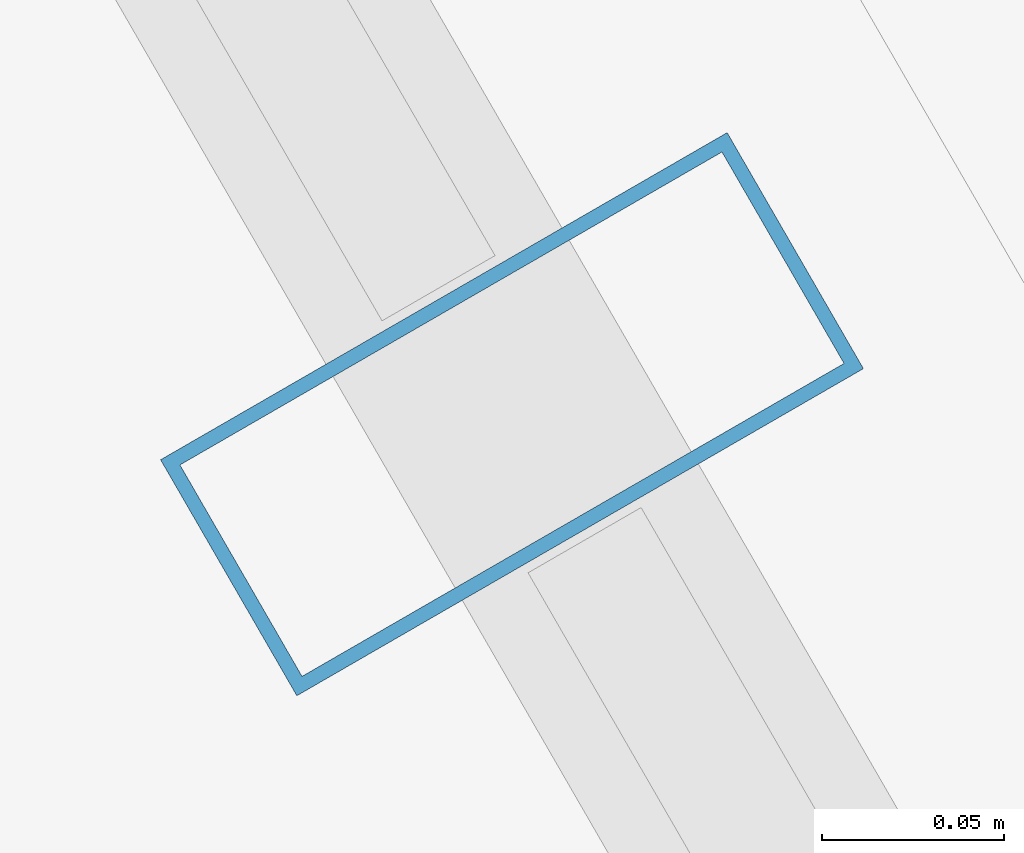
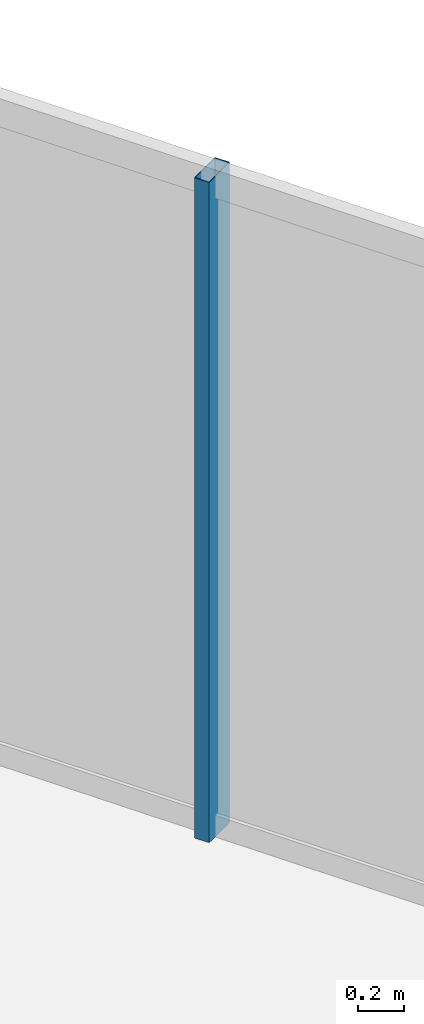
# One storey, part 19 of 32: 1 member, 1 element without a shape of its own.
"""IFC4 building model written with IfcOpenShell, lengths in metres."""

from ifc_helpers import new_model, si_unit, direction, frame, origin, origin_2d, place, context, subcontext, project, spatial, hollow_rectangle, extrude, material, layer, layer_set, material_profile, profile_set, type_object, element, aggregate, save


model = new_model("IFC4")

# Units and contexts
model_context = context("Model", 3, precision=1e-05, world=origin(), true_north=direction((0.0, 1.0)))
body_context = subcontext(model_context, "Body", "Model", "MODEL_VIEW")
ifc_project = project(units=[si_unit("LENGTHUNIT", "METRE"), si_unit("AREAUNIT", "SQUARE_METRE"), si_unit("VOLUMEUNIT", "CUBIC_METRE"), si_unit("PLANEANGLEUNIT", "RADIAN"), si_unit("MASSUNIT", "GRAM", prefix="KILO")], contexts=[model_context])

# Site, building, storey
site_placement = place(None, origin())
site = spatial("IfcSite", under=ifc_project, at=site_placement, CompositionType="ELEMENT")
building_placement = place(site_placement, origin())
building = spatial("IfcBuilding", under=site, at=building_placement, Name="Ndaravel Arena Tower", CompositionType="ELEMENT")
storey_placement = place(building_placement, frame((0.0, 0.0, 294.699951171875)))
storey = spatial("IfcBuildingStorey", under=building, at=storey_placement, Name="L72", CompositionType="ELEMENT", Elevation=294.699951171875)

# Curtain wall, member
ifc_material_1 = material(Name="Aluminium", Category="aluminium")
ifc_layer = layer(ifc_material_1, 0.179931640625)
ifc_layer_set = layer_set([ifc_layer], Name="Aluminium")
curtain_wall_type = type_object("IfcCurtainWallType", Name="CW-SYS-03", PredefinedType="NOTDEFINED", material=ifc_layer_set)
curtain_wall_placement = place(storey_placement, origin())
curtain_wall = element("IfcCurtainWall", 1, at=curtain_wall_placement, inside=storey, type_object=curtain_wall_type, Name="L72 Faceted Crystal Curtain Wall CW-L72-E03", PredefinedType="NOTDEFINED")
ifc_material_2 = material(Name="Aluminium", Category="aluminium")
ifc_material_profile = material_profile(ifc_material_2, hollow_rectangle(XDim=0.074951171875, YDim=0.179931640625, WallThickness=0.00390625, at=origin_2d()), Name="CW MULLION 75x180x4")
ifc_profile_set = profile_set([ifc_material_profile], Name="Aluminium")
member_type = type_object("IfcMemberType", Name="MEM-CW-MUL180", PredefinedType="MULLION", material=ifc_profile_set)
member_placement = place(storey_placement, frame((48.472900390625, 35.7099609375, 0.0), z_axis=(0.0, 0.0, 1.0), x_axis=(-0.5, 0.866025403784, 0.0)))
member = element("IfcMember", 2, at=member_placement, type_object=member_type, Name="CW-L72-E03 Mullion 07", PredefinedType="MULLION", context=body_context, shape_type="SweptSolid", body=[
    extrude(hollow_rectangle(XDim=0.074951171875, YDim=0.179931640625, WallThickness=0.00390625, at=origin_2d()), origin(), (0.0, 0.0, 1.0), 3.52001953125),
])
aggregate(curtain_wall, [member])

save(model, "model.ifc")
